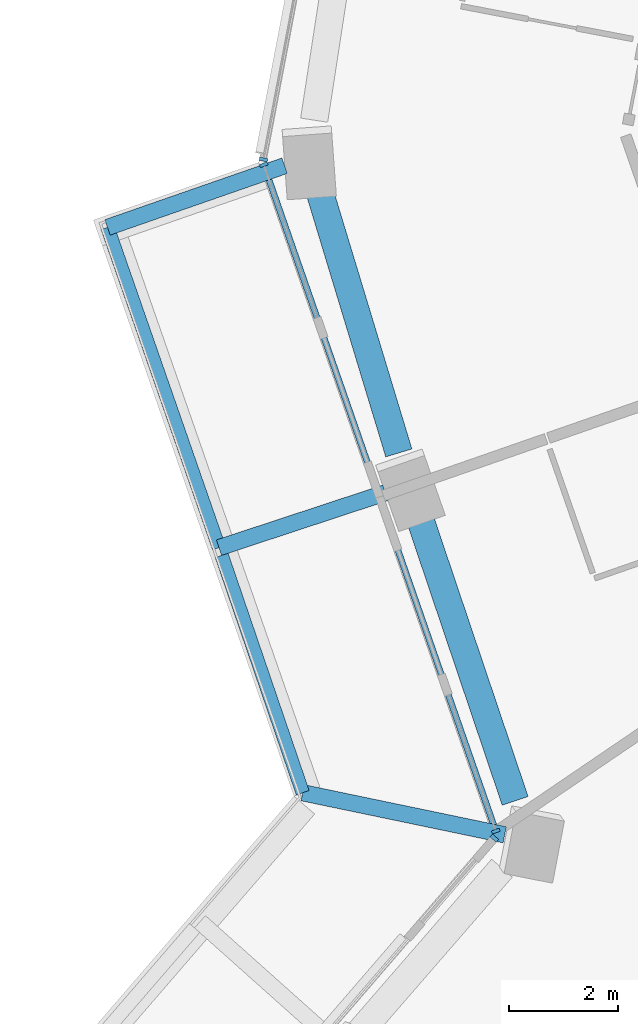
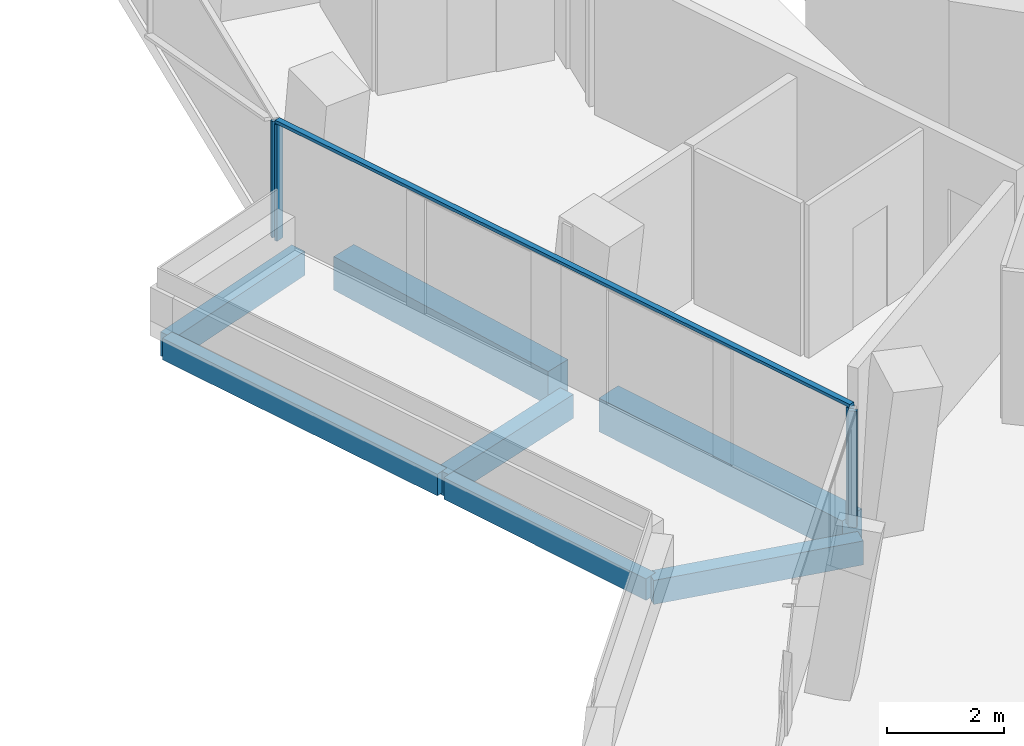
# One storey, part 4 of 23: 7 beams, 5 members, 3 elements without a shape of their own.
"""IFC4 building model written with IfcOpenShell, lengths in metres."""

import ifcopenshell
import ifcopenshell.guid

model = None  # the IFC model being written
_history = None  # IfcOwnerHistory: only IFC2X3 demands one
_inside = {}  # id of a spatial element -> (the spatial element, [elements in it])
_under = {}  # id of a project, library or spatial element -> (it, [spatial elements below it])
_declared = {}  # id of a project -> (the project, [libraries it declares])
_typed = {}  # id of a type object -> (the type object, [elements of that type])
_made_of = {}  # id of a material, layer set ... -> (it, [elements and type objects made of it])


def new_model(schema):
    """Start an empty IFC model of exactly this schema.

    Asked for "IFC4X3", IfcOpenShell would pick the latest addendum, in which some entities
    have other attributes; the version numbers below select the first issue.
    IFC2X3 requires an IfcOwnerHistory on every rooted entity: one is made here for all.
    """
    global model, _history
    if schema == "IFC4X3":
        model = ifcopenshell.file(schema_version=(4, 3, 0, 0))
    else:
        model = ifcopenshell.file(schema=schema)
    _inside.clear()
    _under.clear()
    _declared.clear()
    _typed.clear()
    _made_of.clear()
    _history = None
    if model.schema == "IFC2X3":
        org = make("IfcOrganization", Name="unknown")
        user = make(
            "IfcPersonAndOrganization",
            ThePerson=make("IfcPerson", FamilyName="unknown"),
            TheOrganization=org,
        )
        app = make(
            "IfcApplication",
            ApplicationDeveloper=org,
            Version="unknown",
            ApplicationFullName="unknown",
            ApplicationIdentifier="unknown",
        )
        _history = make(
            "IfcOwnerHistory",
            OwningUser=user,
            OwningApplication=app,
            ChangeAction="ADDED",
            CreationDate=0,
        )
    return model


def make(cls, **values):
    """One entity of the class cls with the attributes given. An attribute that is None is left unset."""
    return model.create_entity(
        cls, **{name: value for name, value in values.items() if value is not None}
    )


def rooted(cls, **values):
    """An entity with a GlobalId (a new one), such as an element, a storey or a relation."""
    return make(cls, GlobalId=ifcopenshell.guid.new(), OwnerHistory=_history, **values)


def si_unit(unit_type, name, prefix=None):
    """IfcSIUnit, for example si_unit("LENGTHUNIT", "METRE", prefix="MILLI")."""
    return make("IfcSIUnit", UnitType=unit_type, Prefix=prefix, Name=name)


def assignment(units):
    """IfcUnitAssignment: the units of a project."""
    return None if units is None else make("IfcUnitAssignment", Units=units)


def point(xyz):
    """IfcCartesianPoint."""
    return None if xyz is None else make("IfcCartesianPoint", Coordinates=xyz)


def direction(xyz):
    """IfcDirection."""
    return None if xyz is None else make("IfcDirection", DirectionRatios=xyz)


def frame(location, z_axis=None, x_axis=None):
    """IfcAxis2Placement3D, a coordinate frame: its origin and axes. An axis left out is left unset."""
    return make(
        "IfcAxis2Placement3D",
        Location=point(location),
        Axis=direction(z_axis),
        RefDirection=direction(x_axis),
    )


def frame_2d(location, x_axis=None):
    """IfcAxis2Placement2D, a coordinate frame in the plane: its origin and x axis."""
    return make(
        "IfcAxis2Placement2D", Location=point(location), RefDirection=direction(x_axis)
    )


def origin():
    """The frame at (0, 0, 0) with its axes left unset."""
    return frame((0.0, 0.0, 0.0))


def origin_2d():
    """The frame at (0, 0) in the plane with its x axis left unset."""
    return frame_2d((0.0, 0.0))


def place(relative_to, where):
    """IfcLocalPlacement: puts the frame where relative to a parent placement (None: the world)."""
    return make(
        "IfcLocalPlacement", PlacementRelTo=relative_to, RelativePlacement=where
    )


def context(
    kind, dimensions, precision=None, world=None, true_north=None, identifier=None
):
    """IfcGeometricRepresentationContext, for example the 3D "Model" context."""
    return make(
        "IfcGeometricRepresentationContext",
        ContextIdentifier=identifier,
        ContextType=kind,
        CoordinateSpaceDimension=dimensions,
        Precision=precision,
        WorldCoordinateSystem=world,
        TrueNorth=true_north,
    )


def subcontext(parent, identifier, kind, view, scale=None):
    """IfcGeometricRepresentationSubContext, for example "Body" below "Model"."""
    return make(
        "IfcGeometricRepresentationSubContext",
        ContextIdentifier=identifier,
        ContextType=kind,
        ParentContext=parent,
        TargetScale=scale,
        TargetView=view,
    )


def project(units=None, contexts=None):
    """IfcProject with its units and contexts."""
    return rooted(
        "IfcProject",
        Name="project",
        RepresentationContexts=contexts,
        UnitsInContext=assignment(units),
    )


def spatial(cls, under=None, at=None, **own):
    """A site, building, storey or space (cls), placed at a placement, below another one or the project."""
    s = rooted(cls, ObjectPlacement=at, **own)
    if under is not None:
        _under.setdefault(under.id(), (under, []))[1].append(s)
    return s


def profile(cls, at=None, kind="AREA", **sizes):
    """A parametric profile (cls). Its sizes go by their IFC names, for example OverallWidth=200.0."""
    return make(cls, ProfileType=kind, Position=at, **sizes)


def rectangle(**sizes):
    """IfcRectangleProfileDef."""
    return profile("IfcRectangleProfileDef", **sizes)


def extrude(swept, where, along, depth):
    """IfcExtrudedAreaSolid: the profile swept, set in the frame where, extruded along a direction by depth."""
    return make(
        "IfcExtrudedAreaSolid",
        SweptArea=swept,
        Position=where,
        ExtrudedDirection=direction(along),
        Depth=depth,
    )


def shape(context_of_items, identifier, shape_type, items):
    """IfcShapeRepresentation: the items that make up one representation, for example the "Body"."""
    return make(
        "IfcShapeRepresentation",
        ContextOfItems=context_of_items,
        RepresentationIdentifier=identifier,
        RepresentationType=shape_type,
        Items=items,
    )


def material(Name=None, Category=None):
    """IfcMaterial."""
    return make("IfcMaterial", Name=Name, Category=Category)


def layer(
    of_material, thickness, ventilated=None, Name=None, Category=None, Priority=None
):
    """IfcMaterialLayer: one layer of a wall or slab, of a material (None: an air gap)."""
    return make(
        "IfcMaterialLayer",
        Material=of_material,
        LayerThickness=thickness,
        IsVentilated=ventilated,
        Name=Name,
        Category=Category,
        Priority=Priority,
    )


def layer_set(layers, Name=None):
    """IfcMaterialLayerSet."""
    return make("IfcMaterialLayerSet", MaterialLayers=layers, LayerSetName=Name)


def material_profile(
    of_material, cross_section, Name=None, Category=None, Priority=None
):
    """IfcMaterialProfile: a cross section and its material."""
    return make(
        "IfcMaterialProfile",
        Name=Name,
        Material=of_material,
        Profile=cross_section,
        Priority=Priority,
        Category=Category,
    )


def profile_set(profiles, Name=None, composite=None):
    """IfcMaterialProfileSet."""
    return make(
        "IfcMaterialProfileSet",
        Name=Name,
        MaterialProfiles=profiles,
        CompositeProfile=composite,
    )


def made_of(thing, what):
    """Note that an element or type object is made of a material, layer set ...; save() writes the relation."""
    if what is not None:
        _made_of.setdefault(what.id(), (what, []))[1].append(thing)
    return thing


def type_object(cls, material=None, **own):
    """A type object (cls), such as IfcWallType, which elements share."""
    return made_of(rooted(cls, **own), material)


def element(
    cls,
    number,
    at=None,
    inside=None,
    cuts=None,
    type_object=None,
    material=None,
    context=None,
    identifier="Body",
    shape_type=None,
    held_by="IfcProductDefinitionShape",
    body=None,
    shapes=None,
    **own,
):
    """One element of the class cls, such as IfcWall. Its Tag is "e" and its number.

    at: its placement. inside: the storey or other place that contains it. cuts: it is an
    opening in that element (IfcRelVoidsElement). A single representation is given by context,
    identifier, shape_type and body (its items); several are given by shapes. held_by: the class
    of the entity that holds the representations. save() writes the other relations.
    """
    e = rooted(cls, Tag="e%d" % number, ObjectPlacement=at, **own)
    if body is not None:
        shapes = [shape(context, identifier, shape_type, body)]
    if shapes is not None:
        e.Representation = make(held_by, Representations=shapes)
    if inside is not None:
        _inside.setdefault(inside.id(), (inside, []))[1].append(e)
    if cuts is not None:
        rooted(
            "IfcRelVoidsElement", RelatingBuildingElement=cuts, RelatedOpeningElement=e
        )
    if type_object is not None:
        _typed.setdefault(type_object.id(), (type_object, []))[1].append(e)
    return made_of(e, material)


def aggregate(whole, parts):
    """IfcRelAggregates: a whole, such as a stair, and the parts it consists of."""
    return rooted("IfcRelAggregates", RelatingObject=whole, RelatedObjects=parts)


def save(model, path):
    """Write the relations noted so far, then the file.

    IfcRelAggregates (storeys below a building ...), IfcRelContainedInSpatialStructure (elements
    in a storey), IfcRelDefinesByType, IfcRelAssociatesMaterial and IfcRelDeclares: one each for
    every whole, place, type object, material and project.
    """
    for whole, parts in _under.values():
        aggregate(whole, parts)
    for where, things in _inside.values():
        rooted(
            "IfcRelContainedInSpatialStructure",
            RelatedElements=things,
            RelatingStructure=where,
        )
    for kind, things in _typed.values():
        rooted("IfcRelDefinesByType", RelatedObjects=things, RelatingType=kind)
    for what, things in _made_of.values():
        rooted("IfcRelAssociatesMaterial", RelatedObjects=things, RelatingMaterial=what)
    for by, libraries in _declared.values():
        rooted("IfcRelDeclares", RelatingContext=by, RelatedDefinitions=libraries)
    model.write(path)


model = new_model("IFC4")

# Units and contexts
model_context = context("Model", 3, precision=1e-05, world=origin(), true_north=direction((0.0, 1.0)))
body_context = subcontext(model_context, "Body", "Model", "MODEL_VIEW")
ifc_project = project(units=[si_unit("LENGTHUNIT", "METRE"), si_unit("AREAUNIT", "SQUARE_METRE"), si_unit("VOLUMEUNIT", "CUBIC_METRE"), si_unit("PLANEANGLEUNIT", "RADIAN"), si_unit("MASSUNIT", "GRAM", prefix="KILO")], contexts=[model_context])

# Site, building, storey
site_placement = place(None, origin())
site = spatial("IfcSite", under=ifc_project, at=site_placement, CompositionType="ELEMENT")
building_placement = place(site_placement, origin())
building = spatial("IfcBuilding", under=site, at=building_placement, Name="Verdalira Terraces Hotel", CompositionType="ELEMENT")
storey_placement = place(building_placement, frame((0.0, 0.0, 111.5)))
storey = spatial("IfcBuildingStorey", under=building, at=storey_placement, Name="L26", CompositionType="ELEMENT", Elevation=111.5)

# Beams
ifc_material_1 = material(Name="Concrete C40", Category="concrete")
ifc_material_profile_1 = material_profile(ifc_material_1, rectangle(XDim=0.300049, YDim=0.5, at=origin_2d()), Name="RC 300X500")
ifc_profile_set_1 = profile_set([ifc_material_profile_1], Name="Concrete C40")
beam_type_1 = type_object("IfcBeamType", Name="Balcony cantilever beam RC 300X500 C40", PredefinedType="BEAM", material=ifc_profile_set_1)
beam_1_placement = place(storey_placement, frame((-24.571533, -1.897949, -0.560059), z_axis=(-0.944392066, -0.32882157, 0.0), x_axis=(0.32882157, -0.944392066, 0.0)))
element("IfcBeam", 1, at=beam_1_placement, inside=storey, type_object=beam_type_1, Name="Balcony cantilever beam R13-3", PredefinedType="BEAM", context=body_context, shape_type="SweptSolid", body=[
    extrude(rectangle(XDim=0.300049, YDim=0.5, at=origin_2d()), origin(), (0.0, 0.0, 1.0), 3.429443),
])
beam_2_placement = place(storey_placement, frame((-22.731201, -7.878906, -0.560059), z_axis=(-0.949745705, -0.313022516, 0.0), x_axis=(0.313022516, -0.949745705, 0.0)))
element("IfcBeam", 2, at=beam_2_placement, inside=storey, type_object=beam_type_1, Name="Balcony cantilever beam R13-4", PredefinedType="BEAM", context=body_context, shape_type="SweptSolid", body=[
    extrude(rectangle(XDim=0.300049, YDim=0.5, at=origin_2d()), origin(), (0.0, 0.0, 1.0), 3.200928),
])
beam_3_placement = place(storey_placement, frame((-20.547607, -14.131104, -0.560059), z_axis=(-0.97899926, 0.203863798, 0.0), x_axis=(-0.203863798, -0.97899926, 0.0)))
element("IfcBeam", 3, at=beam_3_placement, inside=storey, type_object=beam_type_1, Name="Balcony cantilever beam R13-5", PredefinedType="BEAM", context=body_context, shape_type="SweptSolid", body=[
    extrude(rectangle(XDim=0.300049, YDim=0.5, at=origin_2d()), origin(), (0.0, 0.0, 1.0), 3.772217),
])
ifc_material_2 = material(Name="Concrete C40", Category="concrete")
ifc_material_profile_2 = material_profile(ifc_material_2, rectangle(XDim=0.25, YDim=0.449951, at=origin_2d()), Name="RC 250X450")
ifc_profile_set_2 = profile_set([ifc_material_profile_2], Name="Concrete C40")
beam_type_2 = type_object("IfcBeamType", Name="Balcony edge beam RC 250X450 C40", PredefinedType="BEAM", material=ifc_profile_set_2)
beam_4_placement = place(storey_placement, frame((-27.810303, -3.025635, -0.534912), z_axis=(0.328874927, -0.944373487, 0.0), x_axis=(0.944373487, 0.328874927, 0.0)))
element("IfcBeam", 4, at=beam_4_placement, inside=storey, type_object=beam_type_2, Name="Balcony edge beam R13-2", PredefinedType="BEAM", context=body_context, shape_type="SweptSolid", body=[
    extrude(rectangle(XDim=0.25, YDim=0.449951, at=origin_2d()), origin(), (0.0, 0.0, 1.0), 6.200195),
])
beam_5_placement = place(storey_placement, frame((-25.722656, -9.022705, -0.534912), z_axis=(0.323183395, -0.946336353, 0.0), x_axis=(0.946336353, 0.323183395, 0.0)))
element("IfcBeam", 5, at=beam_5_placement, inside=storey, type_object=beam_type_2, Name="Balcony edge beam R13-3", PredefinedType="BEAM", context=body_context, shape_type="SweptSolid", body=[
    extrude(rectangle(XDim=0.25, YDim=0.449951, at=origin_2d()), origin(), (0.0, 0.0, 1.0), 4.585449),
])

# Curtain wall, member
ifc_material_3 = material(Name="Clear glass", Category="glass")
ifc_layer_1 = layer(ifc_material_3, 0.14990234375)
ifc_layer_set_1 = layer_set([ifc_layer_1], Name="CW1 curtain wall")
curtain_wall_type_1 = type_object("IfcCurtainWallType", Name="CW1 curtain wall", PredefinedType="NOTDEFINED", material=ifc_layer_set_1)
curtain_wall_1_placement = place(storey_placement, origin())
curtain_wall_1 = element("IfcCurtainWall", 6, at=curtain_wall_1_placement, inside=storey, type_object=curtain_wall_type_1, Name="CW1 curtain wall L26 edge 12", PredefinedType="NOTDEFINED")
ifc_material_4 = material(Name="Terracotta frame", Category="masonry")
ifc_material_profile_3 = material_profile(ifc_material_4, rectangle(XDim=0.060059, YDim=0.149902, at=origin_2d()), Name="MU 60x150")
ifc_profile_set_3 = profile_set([ifc_material_profile_3], Name="Terracotta frame")
member_type_1 = type_object("IfcMemberType", Name="CW1 mullion 60x150", PredefinedType="MULLION", material=ifc_profile_set_3)
member_1_placement = place(storey_placement, frame((-24.959717, -1.784424, 0.0), z_axis=(0.0, 0.0, 1.0), x_axis=(-0.187381315, -0.982287251, 0.0)))
member_1 = element("IfcMember", 7, at=member_1_placement, type_object=member_type_1, Name="CW1 mullion", PredefinedType="MULLION", context=body_context, shape_type="SweptSolid", body=[
    extrude(rectangle(XDim=0.060059, YDim=0.149902, at=origin_2d()), origin(), (0.0, 0.0, 1.0), 2.425049),
])
aggregate(curtain_wall_1, [member_1])

# Curtain wall, members
curtain_wall_2_placement = place(storey_placement, origin())
curtain_wall_2 = element("IfcCurtainWall", 8, at=curtain_wall_2_placement, inside=storey, type_object=curtain_wall_type_1, Name="CW1 curtain wall L26 edge 13", PredefinedType="NOTDEFINED")
member_2_placement = place(storey_placement, frame((-24.952637, -1.880859, 0.0), z_axis=(0.0, 0.0, 1.0), x_axis=(0.328866647, -0.94437637, 0.0)))
member_2 = element("IfcMember", 9, at=member_2_placement, type_object=member_type_1, Name="CW1 mullion", PredefinedType="MULLION", context=body_context, shape_type="SweptSolid", body=[
    extrude(rectangle(XDim=0.060059, YDim=0.149902, at=origin_2d()), origin(), (0.0, 0.0, 1.0), 2.425049),
])
member_3_placement = place(storey_placement, frame((-20.710449, -14.063232, 0.0), z_axis=(0.0, 0.0, 1.0), x_axis=(0.328866647, -0.94437637, 0.0)))
member_3 = element("IfcMember", 10, at=member_3_placement, type_object=member_type_1, Name="CW1 mullion", PredefinedType="MULLION", context=body_context, shape_type="SweptSolid", body=[
    extrude(rectangle(XDim=0.060059, YDim=0.149902, at=origin_2d()), origin(), (0.0, 0.0, 1.0), 2.425049),
])
ifc_material_5 = material(Name="Terracotta frame", Category="masonry")
ifc_material_profile_4 = material_profile(ifc_material_5, rectangle(XDim=0.110107, YDim=0.064941, at=origin_2d()), Name="TR 65x110")
ifc_profile_set_4 = profile_set([ifc_material_profile_4], Name="Terracotta frame")
member_type_2 = type_object("IfcMemberType", Name="CW1 transom 65x110", PredefinedType="USERDEFINED", material=ifc_profile_set_4)
member_4_placement = place(storey_placement, frame((-24.962646, -1.852539, 2.45752), z_axis=(0.328875698, -0.944373218, 0.0), x_axis=(0.944373218, 0.328875698, 0.0)))
member_4 = element("IfcMember", 11, at=member_4_placement, type_object=member_type_2, Name="CW1 transom", ObjectType="TRANSOM", PredefinedType="USERDEFINED", context=body_context, shape_type="SweptSolid", body=[
    extrude(rectangle(XDim=0.110107, YDim=0.064941, at=origin_2d()), origin(), (0.0, 0.0, 1.0), 12.959961),
])
aggregate(curtain_wall_2, [member_2, member_3, member_4])

# Curtain wall, member
ifc_material_6 = material(Name="Clear glass", Category="glass")
ifc_layer_2 = layer(ifc_material_6, 0.14990234375)
ifc_layer_set_2 = layer_set([ifc_layer_2], Name="CW2 curtain wall")
curtain_wall_type_2 = type_object("IfcCurtainWallType", Name="CW2 curtain wall", PredefinedType="NOTDEFINED", material=ifc_layer_set_2)
curtain_wall_3_placement = place(storey_placement, origin())
curtain_wall_3 = element("IfcCurtainWall", 12, at=curtain_wall_3_placement, inside=storey, type_object=curtain_wall_type_2, Name="CW2 curtain wall L26 edge 14", PredefinedType="NOTDEFINED")
ifc_material_7 = material(Name="Terracotta frame", Category="masonry")
ifc_material_profile_5 = material_profile(ifc_material_7, rectangle(XDim=0.070068, YDim=0.149902, at=origin_2d()), Name="MU 70x150")
ifc_profile_set_5 = profile_set([ifc_material_profile_5], Name="Terracotta frame")
member_type_3 = type_object("IfcMemberType", Name="CW2 mullion 70x150", PredefinedType="MULLION", material=ifc_profile_set_5)
member_5_placement = place(storey_placement, frame((-20.737549, -14.19165, 0.0), z_axis=(0.0, 0.0, 1.0), x_axis=(-0.653420604, -0.756995056, 0.0)))
member_5 = element("IfcMember", 13, at=member_5_placement, type_object=member_type_3, Name="CW2 mullion", PredefinedType="MULLION", context=body_context, shape_type="SweptSolid", body=[
    extrude(rectangle(XDim=0.070068, YDim=0.149902, at=origin_2d()), origin(), (0.0, 0.0, 1.0), 2.425049),
])
aggregate(curtain_wall_3, [member_5])

# Beams
ifc_material_8 = material(Name="Concrete C70", Category="concrete")
ifc_material_profile_6 = material_profile(ifc_material_8, rectangle(XDim=0.5, YDim=0.699951, at=origin_2d()), Name="RC 500X700")
ifc_profile_set_6 = profile_set([ifc_material_profile_6], Name="Concrete C70")
beam_type_3 = type_object("IfcBeamType", Name="Spandrel beam RC 500X700 C70", PredefinedType="SPANDREL", material=ifc_profile_set_6)
beam_6_placement = place(storey_placement, frame((-23.938721, -2.348633, -0.659912), z_axis=(0.29010196, -0.956995743, 0.0), x_axis=(0.956995743, 0.29010196, 0.0)))
element("IfcBeam", 14, at=beam_6_placement, inside=storey, type_object=beam_type_3, Name="Spandrel beam B08", PredefinedType="SPANDREL", context=body_context, shape_type="SweptSolid", body=[
    extrude(rectangle(XDim=0.5, YDim=0.699951, at=origin_2d()), origin(), (0.0, 0.0, 1.0), 5.015869),
])
beam_7_placement = place(storey_placement, frame((-22.128906, -8.256836, -0.659912), z_axis=(0.319620526, -0.947545629, 0.0), x_axis=(0.947545629, 0.319620526, 0.0)))
element("IfcBeam", 15, at=beam_7_placement, inside=storey, type_object=beam_type_3, Name="Spandrel beam B09", PredefinedType="SPANDREL", context=body_context, shape_type="SweptSolid", body=[
    extrude(rectangle(XDim=0.5, YDim=0.699951, at=origin_2d()), origin(), (0.0, 0.0, 1.0), 5.544678),
])

save(model, "model.ifc")
